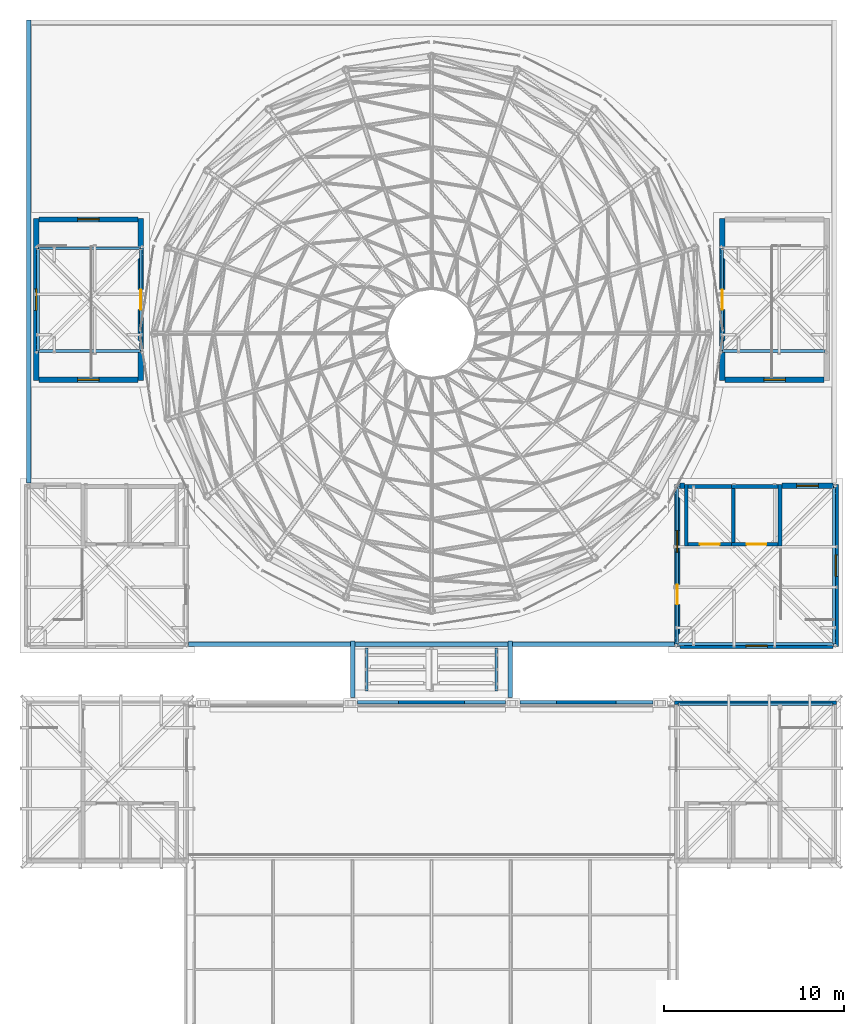
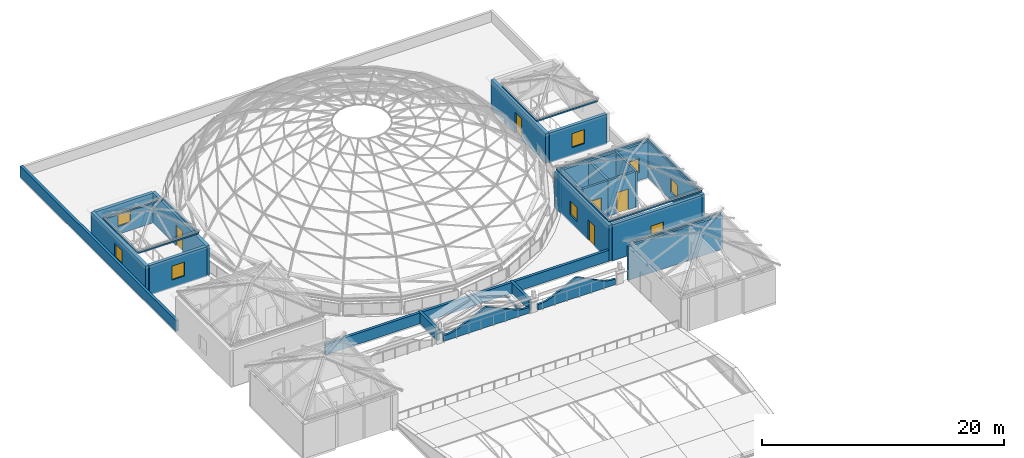
# One storey, part 49 of 69: 38 walls, 8 windows, 5 doors, 13 openings.
"""IFC4 building model written with IfcOpenShell, lengths in metres."""

from ifc_helpers import new_model, si_unit, direction, frame, frame_2d, origin, place, context, subcontext, project, spatial, polyline, rectangle, outline, extrude, material, layer, layer_set, type_object, element, fill, save


model = new_model("IFC4")

# Units and contexts
model_context = context("Model", 3, precision=1e-05, world=origin(), true_north=direction((0.0, 1.0)))
body_context = subcontext(model_context, "Body", "Model", "MODEL_VIEW")
ifc_project = project(units=[si_unit("LENGTHUNIT", "METRE"), si_unit("AREAUNIT", "SQUARE_METRE"), si_unit("VOLUMEUNIT", "CUBIC_METRE"), si_unit("PLANEANGLEUNIT", "RADIAN"), si_unit("MASSUNIT", "GRAM", prefix="KILO")], contexts=[model_context])

# Site, building, storey
site_placement = place(None, origin())
site = spatial("IfcSite", under=ifc_project, at=site_placement, CompositionType="ELEMENT")
building_placement = place(site_placement, origin())
building = spatial("IfcBuilding", under=site, at=building_placement, Name="Kallimachos Central Library", CompositionType="ELEMENT")
storey_placement = place(building_placement, frame((0.0, 0.0, 23.39990234375)))
storey = spatial("IfcBuildingStorey", under=building, at=storey_placement, Name="L05", CompositionType="ELEMENT", Elevation=23.39990234375)

# Walls
ifc_material_1 = material(Name="Concrete C30/37", Category="concrete")
ifc_layer_1 = layer(ifc_material_1, 0.14990234375)
ifc_layer_set_1 = layer_set([ifc_layer_1], Name="Concrete C30/37 eaves kerb 150")
wall_type_1 = type_object("IfcWallType", Name="Concrete C30/37 eaves kerb 150", PredefinedType="SOLIDWALL", material=ifc_layer_set_1)
wall_1_placement = place(storey_placement, frame((101.699951171875, 83.800048828125, 3.650146484375), z_axis=(0.0, 0.0, 1.0), x_axis=(1.0, 0.0, 0.0)))
element("IfcWall", 1, at=wall_1_placement, inside=storey, type_object=wall_type_1, Name="Head-house roof V4-NE eaves kerb N", PredefinedType="SOLIDWALL", context=body_context, shape_type="SweptSolid", body=[
    extrude(rectangle(XDim=8.60009765625, YDim=0.14990234375, at=frame_2d((4.300048828125, 0.0))), origin(), (0.0, 0.0, 1.0), 0.14990234375),
])
for number, where, z_axis, x_axis, name in (
    (2, (101.64990234375, 87.14990234375, 3.800048828125), (0.0, 0.0, 1.0), (1.0, 0.0, 0.0), "Head-house roof V1-SE eaves kerb S"),
    (3, (101.64990234375, 95.85009765625, 3.800048828125), (0.0, 0.0, 1.0), (1.0, 0.0, 0.0), "Head-house roof V1-SE eaves kerb N"),
    (4, (101.64990234375, 87.14990234375, 3.800048828125), (0.0, 0.0, 1.0), (0.0, 1.0, 0.0), "Head-house roof V1-SE eaves kerb W"),
    (5, (110.35009765625, 87.14990234375, 3.800048828125), (0.0, 0.0, 1.0), (0.0, 1.0, 0.0), "Head-house roof V1-SE eaves kerb E"),
):
    element("IfcWall", number, at=place(storey_placement, frame(where, z_axis=z_axis, x_axis=x_axis)), inside=storey, type_object=wall_type_1, Name=name, PredefinedType="SOLIDWALL", context=body_context, shape_type="SweptSolid", body=[
        extrude(rectangle(XDim=8.7001953125, YDim=0.14990234375, at=frame_2d((4.35009765625, 0.0))), origin(), (0.0, 0.0, 1.0), 0.150146484375),
    ])
for number, where, z_axis, x_axis, name in (
    (6, (66.14990234375, 103.425048828125, 3.2001953125), (0.0, 0.0, 1.0), (1.0, 0.0, 0.0), "Head-house roof V1-NW eaves kerb S"),
    (7, (66.14990234375, 109.125, 3.2001953125), (0.0, 0.0, 1.0), (1.0, 0.0, 0.0), "Head-house roof V1-NW eaves kerb N"),
):
    element("IfcWall", number, at=place(storey_placement, frame(where, z_axis=z_axis, x_axis=x_axis)), inside=storey, type_object=wall_type_1, Name=name, PredefinedType="SOLIDWALL", context=body_context, shape_type="SweptSolid", body=[
        extrude(rectangle(XDim=5.7001953125, YDim=0.14990234375, at=frame_2d((2.85009765625, 0.0))), origin(), (0.0, 0.0, 1.0), 0.14990234375),
    ])
for number, where, z_axis, x_axis, name in (
    (8, (66.14990234375, 103.425048828125, 3.2001953125), (0.0, 0.0, 1.0), (0.0, 1.0, 0.0), "Head-house roof V1-NW eaves kerb W"),
    (9, (71.85009765625, 103.425048828125, 3.2001953125), (0.0, 0.0, 1.0), (0.0, 1.0, 0.0), "Head-house roof V1-NW eaves kerb E"),
):
    element("IfcWall", number, at=place(storey_placement, frame(where, z_axis=z_axis, x_axis=x_axis)), inside=storey, type_object=wall_type_1, Name=name, PredefinedType="SOLIDWALL", context=body_context, shape_type="SweptSolid", body=[
        extrude(rectangle(XDim=5.699951171875, YDim=0.14990234375, at=frame_2d((2.85009765625, 0.0))), origin(), (0.0, 0.0, 1.0), 0.14990234375),
    ])
wall_2_placement = place(storey_placement, frame((104.14990234375, 103.425048828125, 3.2001953125), z_axis=(0.0, 0.0, 1.0), x_axis=(1.0, 0.0, 0.0)))
element("IfcWall", 10, at=wall_2_placement, inside=storey, type_object=wall_type_1, Name="Head-house roof V1-NE eaves kerb S", PredefinedType="SOLIDWALL", context=body_context, shape_type="SweptSolid", body=[
    extrude(rectangle(XDim=5.7001953125, YDim=0.14990234375, at=frame_2d((2.85009765625, 0.0))), origin(), (0.0, 0.0, 1.0), 0.14990234375),
])
wall_3_placement = place(storey_placement, frame((104.14990234375, 103.425048828125, 3.2001953125), z_axis=(0.0, 0.0, 1.0), x_axis=(0.0, 1.0, 0.0)))
element("IfcWall", 11, at=wall_3_placement, inside=storey, type_object=wall_type_1, Name="Head-house roof V1-NE eaves kerb W", PredefinedType="SOLIDWALL", context=body_context, shape_type="SweptSolid", body=[
    extrude(rectangle(XDim=5.699951171875, YDim=0.14990234375, at=frame_2d((2.85009765625, 0.0))), origin(), (0.0, 0.0, 1.0), 0.14990234375),
])
for number, where, z_axis, x_axis, name in (
    (12, (84.39990234375, 84.53759765625, 0.0), (0.0, 0.0, 1.0), (0.0, 1.0, 0.0), "Reading Link roof eaves kerb W"),
    (13, (91.60009765625, 84.53759765625, 0.0), (0.0, 0.0, 1.0), (0.0, 1.0, 0.0), "Reading Link roof eaves kerb E"),
):
    element("IfcWall", number, at=place(storey_placement, frame(where, z_axis=z_axis, x_axis=x_axis)), inside=storey, type_object=wall_type_1, Name=name, PredefinedType="SOLIDWALL", context=body_context, shape_type="SweptSolid", body=[
        extrude(rectangle(XDim=2.39990234375, YDim=0.14990234375, at=frame_2d((1.199951171875, 0.0))), origin(), (0.0, 0.0, 1.0), 0.150146484375),
    ])

# Wall, openings, door, window
ifc_material_2 = material(Name="Concrete C30/37 faced with glazed ceramic tile", Category="concrete")
ifc_layer_2 = layer(ifc_material_2, 0.300048828125)
ifc_layer_set_2 = layer_set([ifc_layer_2], Name="Head-house wall 300")
wall_type_2 = type_object("IfcWallType", Name="Head-house wall 300", PredefinedType="SOLIDWALL", material=ifc_layer_set_2)
wall_4_placement = place(storey_placement, frame((101.64990234375, 87.0, 0.0), z_axis=(0.0, 0.0, 1.0), x_axis=(0.0, 1.0, 0.0)))
wall_4 = element("IfcWall", 14, at=wall_4_placement, inside=storey, type_object=wall_type_2, Name="Head-house wall V1-SE", PredefinedType="SOLIDWALL", context=body_context, shape_type="SweptSolid", body=[
    extrude(rectangle(XDim=9.0, YDim=0.300048828125, at=frame_2d((4.5, 0.0))), origin(), (0.0, 0.0, 1.0), 3.60009765625),
])
opening_1_placement = place(wall_4_placement, frame((5.25, 0.0, 0.800048828125)))
opening_1 = element("IfcOpeningElement", 15, at=opening_1_placement, cuts=wall_4, Name="Opening W65", PredefinedType="OPENING", context=body_context, shape_type="SweptSolid", body=[
    extrude(rectangle(XDim=1.199951171875, YDim=1.39990234375, at=frame_2d((0.60009765625, 0.699951171875))), frame((0.0, 0.159912109375, 0.0), z_axis=(0.0, -1.0, 0.0), x_axis=(1.0, 0.0, 0.0)), (0.0, 0.0, 1.0), 0.320068359375),
])
opening_2_placement = place(wall_4_placement, frame((2.35009765625, 0.0, 0.0)))
opening_2 = element("IfcOpeningElement", 16, at=opening_2_placement, cuts=wall_4, Name="Opening D61", PredefinedType="OPENING", context=body_context, shape_type="SweptSolid", body=[
    extrude(rectangle(XDim=1.10009765625, YDim=2.10009765625, at=frame_2d((0.550048828125, 1.050048828125))), frame((0.0, 0.159912109375, 0.0), z_axis=(0.0, -1.0, 0.0), x_axis=(1.0, 0.0, 0.0)), (0.0, 0.0, 1.0), 0.320068359375),
])
ifc_material_3 = material(Name="Steel fire door", Category="steel")
door_type_1 = type_object("IfcDoorType", Name="Fire door EI2 90 1100 x 2100", OperationType="NOTDEFINED", PredefinedType="DOOR", material=ifc_material_3)
door_1_placement = place(opening_2_placement, frame((1.10009765625, 0.0, 0.0), z_axis=(0.0, 0.0, 1.0), x_axis=(-1.0, 0.0, 0.0)))
door_1 = element("IfcDoor", 17, at=door_1_placement, inside=storey, type_object=door_type_1, Name="V1-DOR-L05-006", OperationType="SINGLE_SWING_LEFT", OverallHeight=2.10009765625, OverallWidth=1.10009765625, PredefinedType="DOOR", context=body_context, shape_type="SweptSolid", body=[
    extrude(rectangle(XDim=1.10009765625, YDim=2.10009765625, at=frame_2d((0.550048828125, 1.050048828125))), frame((0.0, 0.02490234375, 0.0), z_axis=(0.0, -1.0, 0.0), x_axis=(1.0, 0.0, 0.0)), (0.0, 0.0, 1.0), 0.050048828125),
])
fill(opening_2, door_1)
ifc_material_4 = material(Name="Anodised aluminium louvre", Category="aluminium")
window_type = type_object("IfcWindowType", Name="Plant louvre 1200x1400", PartitioningType="SINGLE_PANEL", PredefinedType="WINDOW", material=ifc_material_4)
window_1_placement = place(opening_1_placement, origin())
window_1 = element("IfcWindow", 18, at=window_1_placement, inside=storey, type_object=window_type, Name="V1-WIN-L05-005", OverallHeight=1.39990234375, OverallWidth=1.199951171875, PartitioningType="SINGLE_PANEL", PredefinedType="WINDOW", context=body_context, shape_type="SweptSolid", body=[
    extrude(rectangle(XDim=1.199951171875, YDim=1.39990234375, at=frame_2d((0.60009765625, 0.699951171875))), frame((0.0, 0.030029296875, 0.0), z_axis=(0.0, -1.0, 0.0), x_axis=(1.0, 0.0, 0.0)), (0.0, 0.0, 1.0), 0.06005859375),
])
fill(opening_1, window_1)

# Wall, opening, window
wall_5_placement = place(storey_placement, frame((110.449951171875, 87.0, 0.0), z_axis=(0.0, 0.0, 1.0), x_axis=(0.0, 1.0, 0.0)))
wall_5 = element("IfcWall", 19, at=wall_5_placement, inside=storey, type_object=wall_type_2, Name="Head-house wall V1-SE", PredefinedType="SOLIDWALL", context=body_context, shape_type="SweptSolid", body=[
    extrude(rectangle(XDim=9.0, YDim=0.300048828125, at=frame_2d((4.5, 0.0))), origin(), (0.0, 0.0, 1.0), 3.60009765625),
])
opening_3_placement = place(wall_5_placement, frame((3.89990234375, 0.0, 0.800048828125)))
opening_3 = element("IfcOpeningElement", 20, at=opening_3_placement, cuts=wall_5, Name="Opening W66", PredefinedType="OPENING", context=body_context, shape_type="SweptSolid", body=[
    extrude(rectangle(XDim=1.199951171875, YDim=1.39990234375, at=frame_2d((0.60009765625, 0.699951171875))), frame((0.0, 0.159912109375, 0.0), z_axis=(0.0, -1.0, 0.0), x_axis=(1.0, 0.0, 0.0)), (0.0, 0.0, 1.0), 0.320068359375),
])
window_2_placement = place(opening_3_placement, origin())
window_2 = element("IfcWindow", 21, at=window_2_placement, inside=storey, type_object=window_type, Name="V1-WIN-L05-006", OverallHeight=1.39990234375, OverallWidth=1.199951171875, PartitioningType="SINGLE_PANEL", PredefinedType="WINDOW", context=body_context, shape_type="SweptSolid", body=[
    extrude(rectangle(XDim=1.199951171875, YDim=1.39990234375, at=frame_2d((0.60009765625, 0.699951171875))), frame((0.0, 0.030029296875, 0.0), z_axis=(0.0, -1.0, 0.0), x_axis=(1.0, 0.0, 0.0)), (0.0, 0.0, 1.0), 0.06005859375),
])
fill(opening_3, window_2)

wall_6_placement = place(storey_placement, frame((101.800048828125, 87.050048828125, 0.0), z_axis=(0.0, 0.0, 1.0), x_axis=(1.0, 0.0, 0.0)))
wall_6 = element("IfcWall", 22, at=wall_6_placement, inside=storey, type_object=wall_type_2, Name="Head-house wall V1-SE", PredefinedType="SOLIDWALL", context=body_context, shape_type="SweptSolid", body=[
    extrude(rectangle(XDim=8.5, YDim=0.300048828125, at=frame_2d((4.25, 0.0))), origin(), (0.0, 0.0, 1.0), 3.60009765625),
])
opening_4_placement = place(wall_6_placement, frame((3.64990234375, 0.0, 0.800048828125)))
opening_4 = element("IfcOpeningElement", 23, at=opening_4_placement, cuts=wall_6, Name="Opening W67", PredefinedType="OPENING", context=body_context, shape_type="SweptSolid", body=[
    extrude(rectangle(XDim=1.199951171875, YDim=1.39990234375, at=frame_2d((0.60009765625, 0.699951171875))), frame((0.0, 0.159912109375, 0.0), z_axis=(0.0, -1.0, 0.0), x_axis=(1.0, 0.0, 0.0)), (0.0, 0.0, 1.0), 0.320068359375),
])
window_3_placement = place(opening_4_placement, origin())
window_3 = element("IfcWindow", 24, at=window_3_placement, inside=storey, type_object=window_type, Name="V1-WIN-L05-007", OverallHeight=1.39990234375, OverallWidth=1.199951171875, PartitioningType="SINGLE_PANEL", PredefinedType="WINDOW", context=body_context, shape_type="SweptSolid", body=[
    extrude(rectangle(XDim=1.199951171875, YDim=1.39990234375, at=frame_2d((0.60009765625, 0.699951171875))), frame((0.0, 0.030029296875, 0.0), z_axis=(0.0, -1.0, 0.0), x_axis=(1.0, 0.0, 0.0)), (0.0, 0.0, 1.0), 0.06005859375),
])
fill(opening_4, window_3)

# Wall
wall_7_placement = place(storey_placement, frame((101.800048828125, 95.949951171875, 0.0), z_axis=(0.0, 0.0, 1.0), x_axis=(1.0, 0.0, 0.0)))
element("IfcWall", 25, at=wall_7_placement, inside=storey, type_object=wall_type_2, Name="Head-house wall V1-SE", PredefinedType="SOLIDWALL", context=body_context, shape_type="SweptSolid", body=[
    extrude(rectangle(XDim=0.25, YDim=0.300048828125, at=frame_2d((0.125, 0.0))), origin(), (0.0, 0.0, 1.0), 3.60009765625),
])

# Wall, opening, window
wall_8_placement = place(storey_placement, frame((107.449951171875, 95.949951171875, 0.0), z_axis=(0.0, 0.0, 1.0), x_axis=(1.0, 0.0, 0.0)))
wall_8 = element("IfcWall", 26, at=wall_8_placement, inside=storey, type_object=wall_type_2, Name="Head-house wall V1-SE", PredefinedType="SOLIDWALL", context=body_context, shape_type="SweptSolid", body=[
    extrude(rectangle(XDim=2.85009765625, YDim=0.300048828125, at=frame_2d((1.425048828125, 0.0))), origin(), (0.0, 0.0, 1.0), 3.60009765625),
])
opening_5_placement = place(wall_8_placement, frame((0.824951171875, 0.0, 0.800048828125)))
opening_5 = element("IfcOpeningElement", 27, at=opening_5_placement, cuts=wall_8, Name="Opening W68", PredefinedType="OPENING", context=body_context, shape_type="SweptSolid", body=[
    extrude(rectangle(XDim=1.199951171875, YDim=1.39990234375, at=frame_2d((0.60009765625, 0.699951171875))), frame((0.0, 0.159912109375, 0.0), z_axis=(0.0, -1.0, 0.0), x_axis=(1.0, 0.0, 0.0)), (0.0, 0.0, 1.0), 0.320068359375),
])
window_4_placement = place(opening_5_placement, origin())
window_4 = element("IfcWindow", 28, at=window_4_placement, inside=storey, type_object=window_type, Name="V1-WIN-L05-008", OverallHeight=1.39990234375, OverallWidth=1.199951171875, PartitioningType="SINGLE_PANEL", PredefinedType="WINDOW", context=body_context, shape_type="SweptSolid", body=[
    extrude(rectangle(XDim=1.199951171875, YDim=1.39990234375, at=frame_2d((0.60009765625, 0.699951171875))), frame((0.0, 0.030029296875, 0.0), z_axis=(0.0, -1.0, 0.0), x_axis=(1.0, 0.0, 0.0)), (0.0, 0.0, 1.0), 0.06005859375),
])
fill(opening_5, window_4)

wall_9_placement = place(storey_placement, frame((66.050048828125, 101.77490234375, 0.0), z_axis=(0.0, 0.0, 1.0), x_axis=(0.0, 1.0, 0.0)))
wall_9 = element("IfcWall", 29, at=wall_9_placement, inside=storey, type_object=wall_type_2, Name="Head-house wall V1-NW", PredefinedType="SOLIDWALL", context=body_context, shape_type="SweptSolid", body=[
    extrude(rectangle(XDim=9.0, YDim=0.300048828125, at=frame_2d((4.5, 0.0))), origin(), (0.0, 0.0, 1.0), 3.0),
])
opening_6_placement = place(wall_9_placement, frame((3.89990234375, 0.0, 0.800048828125)))
opening_6 = element("IfcOpeningElement", 30, at=opening_6_placement, cuts=wall_9, Name="Opening W69", PredefinedType="OPENING", context=body_context, shape_type="SweptSolid", body=[
    extrude(rectangle(XDim=1.199951171875, YDim=1.39990234375, at=frame_2d((0.60009765625, 0.699951171875))), frame((0.0, 0.159912109375, 0.0), z_axis=(0.0, -1.0, 0.0), x_axis=(1.0, 0.0, 0.0)), (0.0, 0.0, 1.0), 0.320068359375),
])
window_5_placement = place(opening_6_placement, origin())
window_5 = element("IfcWindow", 31, at=window_5_placement, inside=storey, type_object=window_type, Name="V1-WIN-L05-009", OverallHeight=1.39990234375, OverallWidth=1.199951171875, PartitioningType="SINGLE_PANEL", PredefinedType="WINDOW", context=body_context, shape_type="SweptSolid", body=[
    extrude(rectangle(XDim=1.199951171875, YDim=1.39990234375, at=frame_2d((0.60009765625, 0.699951171875))), frame((0.0, 0.030029296875, 0.0), z_axis=(0.0, -1.0, 0.0), x_axis=(1.0, 0.0, 0.0)), (0.0, 0.0, 1.0), 0.06005859375),
])
fill(opening_6, window_5)

# Wall, opening, door
wall_10_placement = place(storey_placement, frame((71.85009765625, 101.77490234375, 0.0), z_axis=(0.0, 0.0, 1.0), x_axis=(0.0, 1.0, 0.0)))
wall_10 = element("IfcWall", 32, at=wall_10_placement, inside=storey, type_object=wall_type_2, Name="Head-house wall V1-NW", PredefinedType="SOLIDWALL", context=body_context, shape_type="SweptSolid", body=[
    extrude(rectangle(XDim=9.0, YDim=0.300048828125, at=frame_2d((4.5, 0.0))), origin(), (0.0, 0.0, 1.0), 3.0),
])
opening_7_placement = place(wall_10_placement, frame((3.949951171875, 0.0, 0.0)))
opening_7 = element("IfcOpeningElement", 33, at=opening_7_placement, cuts=wall_10, Name="Opening D62", PredefinedType="OPENING", context=body_context, shape_type="SweptSolid", body=[
    extrude(rectangle(XDim=1.10009765625, YDim=2.10009765625, at=frame_2d((0.550048828125, 1.050048828125))), frame((0.0, 0.159912109375, 0.0), z_axis=(0.0, -1.0, 0.0), x_axis=(1.0, 0.0, 0.0)), (0.0, 0.0, 1.0), 0.320068359375),
])
door_2_placement = place(opening_7_placement, origin())
door_2 = element("IfcDoor", 34, at=door_2_placement, inside=storey, type_object=door_type_1, Name="V1-DOR-L05-007", OperationType="SINGLE_SWING_RIGHT", OverallHeight=2.10009765625, OverallWidth=1.10009765625, PredefinedType="DOOR", context=body_context, shape_type="SweptSolid", body=[
    extrude(rectangle(XDim=1.10009765625, YDim=2.10009765625, at=frame_2d((0.550048828125, 1.050048828125))), frame((0.0, 0.02490234375, 0.0), z_axis=(0.0, -1.0, 0.0), x_axis=(1.0, 0.0, 0.0)), (0.0, 0.0, 1.0), 0.050048828125),
])
fill(opening_7, door_2)

# Wall, opening, window
wall_11_placement = place(storey_placement, frame((66.199951171875, 101.824951171875, 0.0), z_axis=(0.0, 0.0, 1.0), x_axis=(1.0, 0.0, 0.0)))
wall_11 = element("IfcWall", 35, at=wall_11_placement, inside=storey, type_object=wall_type_2, Name="Head-house wall V1-NW", PredefinedType="SOLIDWALL", context=body_context, shape_type="SweptSolid", body=[
    extrude(rectangle(XDim=5.5, YDim=0.300048828125, at=frame_2d((2.75, 0.0))), origin(), (0.0, 0.0, 1.0), 3.0),
])
opening_8_placement = place(wall_11_placement, frame((2.14990234375, 0.0, 0.800048828125)))
opening_8 = element("IfcOpeningElement", 36, at=opening_8_placement, cuts=wall_11, Name="Opening W70", PredefinedType="OPENING", context=body_context, shape_type="SweptSolid", body=[
    extrude(rectangle(XDim=1.199951171875, YDim=1.39990234375, at=frame_2d((0.60009765625, 0.699951171875))), frame((0.0, 0.159912109375, 0.0), z_axis=(0.0, -1.0, 0.0), x_axis=(1.0, 0.0, 0.0)), (0.0, 0.0, 1.0), 0.320068359375),
])
window_6_placement = place(opening_8_placement, origin())
window_6 = element("IfcWindow", 37, at=window_6_placement, inside=storey, type_object=window_type, Name="V1-WIN-L05-010", OverallHeight=1.39990234375, OverallWidth=1.199951171875, PartitioningType="SINGLE_PANEL", PredefinedType="WINDOW", context=body_context, shape_type="SweptSolid", body=[
    extrude(rectangle(XDim=1.199951171875, YDim=1.39990234375, at=frame_2d((0.60009765625, 0.699951171875))), frame((0.0, 0.030029296875, 0.0), z_axis=(0.0, -1.0, 0.0), x_axis=(1.0, 0.0, 0.0)), (0.0, 0.0, 1.0), 0.06005859375),
])
fill(opening_8, window_6)

wall_12_placement = place(storey_placement, frame((66.199951171875, 110.72509765625, 0.0), z_axis=(0.0, 0.0, 1.0), x_axis=(1.0, 0.0, 0.0)))
wall_12 = element("IfcWall", 38, at=wall_12_placement, inside=storey, type_object=wall_type_2, Name="Head-house wall V1-NW", PredefinedType="SOLIDWALL", context=body_context, shape_type="SweptSolid", body=[
    extrude(rectangle(XDim=5.5, YDim=0.300048828125, at=frame_2d((2.75, 0.0))), origin(), (0.0, 0.0, 1.0), 3.0),
])
opening_9_placement = place(wall_12_placement, frame((2.14990234375, 0.0, 0.800048828125)))
opening_9 = element("IfcOpeningElement", 39, at=opening_9_placement, cuts=wall_12, Name="Opening W71", PredefinedType="OPENING", context=body_context, shape_type="SweptSolid", body=[
    extrude(rectangle(XDim=1.199951171875, YDim=1.39990234375, at=frame_2d((0.60009765625, 0.699951171875))), frame((0.0, 0.159912109375, 0.0), z_axis=(0.0, -1.0, 0.0), x_axis=(1.0, 0.0, 0.0)), (0.0, 0.0, 1.0), 0.320068359375),
])
window_7_placement = place(opening_9_placement, origin())
window_7 = element("IfcWindow", 40, at=window_7_placement, inside=storey, type_object=window_type, Name="V1-WIN-L05-011", OverallHeight=1.39990234375, OverallWidth=1.199951171875, PartitioningType="SINGLE_PANEL", PredefinedType="WINDOW", context=body_context, shape_type="SweptSolid", body=[
    extrude(rectangle(XDim=1.199951171875, YDim=1.39990234375, at=frame_2d((0.60009765625, 0.699951171875))), frame((0.0, 0.030029296875, 0.0), z_axis=(0.0, -1.0, 0.0), x_axis=(1.0, 0.0, 0.0)), (0.0, 0.0, 1.0), 0.06005859375),
])
fill(opening_9, window_7)

# Wall, opening, door
wall_13_placement = place(storey_placement, frame((104.14990234375, 101.77490234375, 0.0), z_axis=(0.0, 0.0, 1.0), x_axis=(0.0, 1.0, 0.0)))
wall_13 = element("IfcWall", 41, at=wall_13_placement, inside=storey, type_object=wall_type_2, Name="Head-house wall V1-NE", PredefinedType="SOLIDWALL", context=body_context, shape_type="SweptSolid", body=[
    extrude(rectangle(XDim=9.0, YDim=0.300048828125, at=frame_2d((4.5, 0.0))), origin(), (0.0, 0.0, 1.0), 3.0),
])
opening_10_placement = place(wall_13_placement, frame((3.949951171875, 0.0, 0.0)))
opening_10 = element("IfcOpeningElement", 42, at=opening_10_placement, cuts=wall_13, Name="Opening D63", PredefinedType="OPENING", context=body_context, shape_type="SweptSolid", body=[
    extrude(rectangle(XDim=1.10009765625, YDim=2.10009765625, at=frame_2d((0.550048828125, 1.050048828125))), frame((0.0, 0.159912109375, 0.0), z_axis=(0.0, -1.0, 0.0), x_axis=(1.0, 0.0, 0.0)), (0.0, 0.0, 1.0), 0.320068359375),
])
door_3_placement = place(opening_10_placement, frame((1.10009765625, 0.0, 0.0), z_axis=(0.0, 0.0, 1.0), x_axis=(-1.0, 0.0, 0.0)))
door_3 = element("IfcDoor", 43, at=door_3_placement, inside=storey, type_object=door_type_1, Name="V1-DOR-L05-008", OperationType="SINGLE_SWING_LEFT", OverallHeight=2.10009765625, OverallWidth=1.10009765625, PredefinedType="DOOR", context=body_context, shape_type="SweptSolid", body=[
    extrude(rectangle(XDim=1.10009765625, YDim=2.10009765625, at=frame_2d((0.550048828125, 1.050048828125))), frame((0.0, 0.02490234375, 0.0), z_axis=(0.0, -1.0, 0.0), x_axis=(1.0, 0.0, 0.0)), (0.0, 0.0, 1.0), 0.050048828125),
])
fill(opening_10, door_3)

# Wall, opening, window
wall_14_placement = place(storey_placement, frame((104.300048828125, 101.824951171875, 0.0), z_axis=(0.0, 0.0, 1.0), x_axis=(1.0, 0.0, 0.0)))
wall_14 = element("IfcWall", 44, at=wall_14_placement, inside=storey, type_object=wall_type_2, Name="Head-house wall V1-NE", PredefinedType="SOLIDWALL", context=body_context, shape_type="SweptSolid", body=[
    extrude(rectangle(XDim=5.5, YDim=0.300048828125, at=frame_2d((2.75, 0.0))), origin(), (0.0, 0.0, 1.0), 3.0),
])
opening_11_placement = place(wall_14_placement, frame((2.14990234375, 0.0, 0.800048828125)))
opening_11 = element("IfcOpeningElement", 45, at=opening_11_placement, cuts=wall_14, Name="Opening W73", PredefinedType="OPENING", context=body_context, shape_type="SweptSolid", body=[
    extrude(rectangle(XDim=1.199951171875, YDim=1.39990234375, at=frame_2d((0.60009765625, 0.699951171875))), frame((0.0, 0.159912109375, 0.0), z_axis=(0.0, -1.0, 0.0), x_axis=(1.0, 0.0, 0.0)), (0.0, 0.0, 1.0), 0.320068359375),
])
window_8_placement = place(opening_11_placement, origin())
window_8 = element("IfcWindow", 46, at=window_8_placement, inside=storey, type_object=window_type, Name="V1-WIN-L05-013", OverallHeight=1.39990234375, OverallWidth=1.199951171875, PartitioningType="SINGLE_PANEL", PredefinedType="WINDOW", context=body_context, shape_type="SweptSolid", body=[
    extrude(rectangle(XDim=1.199951171875, YDim=1.39990234375, at=frame_2d((0.60009765625, 0.699951171875))), frame((0.0, 0.030029296875, 0.0), z_axis=(0.0, -1.0, 0.0), x_axis=(1.0, 0.0, 0.0)), (0.0, 0.0, 1.0), 0.06005859375),
])
fill(opening_11, window_8)

# Wall
ifc_material_5 = material(Name="Concrete C30/37", Category="concrete")
ifc_layer_3 = layer(ifc_material_5, 0.199951171875)
ifc_layer_set_3 = layer_set([ifc_layer_3], Name="Lift shaft wall 200")
wall_type_3 = type_object("IfcWallType", Name="Lift shaft wall 200", PredefinedType="SOLIDWALL", material=ifc_layer_set_3)
wall_15_placement = place(storey_placement, frame((104.64990234375, 95.89990234375, 0.0), z_axis=(0.0, 0.0, 1.0), x_axis=(1.0, 0.0, 0.0)))
element("IfcWall", 47, at=wall_15_placement, inside=storey, type_object=wall_type_3, Name="V1-WAL-L05-008", PredefinedType="SOLIDWALL", context=body_context, shape_type="SweptSolid", body=[
    extrude(rectangle(XDim=2.60009765625, YDim=0.199951171875, at=frame_2d((1.300048828125, 0.0))), origin(), (0.0, 0.0, 1.0), 3.60009765625),
])

# Wall, opening, door
wall_16_placement = place(storey_placement, frame((104.64990234375, 92.699951171875, 0.0), z_axis=(0.0, 0.0, 1.0), x_axis=(1.0, 0.0, 0.0)))
wall_16 = element("IfcWall", 48, at=wall_16_placement, inside=storey, type_object=wall_type_3, Name="V1-WAL-L05-009", PredefinedType="SOLIDWALL", context=body_context, shape_type="SweptSolid", body=[
    extrude(rectangle(XDim=2.60009765625, YDim=0.199951171875, at=frame_2d((1.300048828125, 0.0))), origin(), (0.0, 0.0, 1.0), 3.60009765625),
])
opening_12_placement = place(wall_16_placement, frame((0.85009765625, 0.0, 0.0)))
opening_12 = element("IfcOpeningElement", 49, at=opening_12_placement, cuts=wall_16, Name="Opening LD1100", PredefinedType="OPENING", context=body_context, shape_type="SweptSolid", body=[
    extrude(rectangle(XDim=1.10009765625, YDim=2.10009765625, at=frame_2d((0.550048828125, 1.050048828125))), frame((0.0, 0.10986328125, 0.0), z_axis=(0.0, -1.0, 0.0), x_axis=(1.0, 0.0, 0.0)), (0.0, 0.0, 1.0), 0.219970703125),
])
ifc_material_6 = material(Name="Stainless steel", Category="steel")
door_type_2 = type_object("IfcDoorType", Name="Lift landing door 1100 x 2100", OperationType="SLIDING_TO_LEFT", PredefinedType="DOOR", material=ifc_material_6)
door_4_placement = place(opening_12_placement, origin())
door_4 = element("IfcDoor", 50, at=door_4_placement, inside=storey, type_object=door_type_2, Name="LF3 landing door L05", OperationType="SLIDING_TO_LEFT", OverallHeight=2.10009765625, OverallWidth=1.10009765625, PredefinedType="DOOR", context=body_context, shape_type="SweptSolid", body=[
    extrude(rectangle(XDim=1.10009765625, YDim=2.10009765625, at=frame_2d((0.550048828125, 1.050048828125))), frame((0.0, 0.02490234375, 0.0), z_axis=(0.0, -1.0, 0.0), x_axis=(1.0, 0.0, 0.0)), (0.0, 0.0, 1.0), 0.050048828125),
])
fill(opening_12, door_4)

# Walls
for number, where, z_axis, x_axis, name in (
    (51, (104.75, 92.60009765625, 0.0), (0.0, 0.0, 1.0), (0.0, 1.0, 0.0), "V1-WAL-L05-010"),
    (52, (107.35009765625, 92.60009765625, 0.0), (0.0, 0.0, 1.0), (0.0, 1.0, 0.0), "V1-WAL-L05-011"),
):
    element("IfcWall", number, at=place(storey_placement, frame(where, z_axis=z_axis, x_axis=x_axis)), inside=storey, type_object=wall_type_3, Name=name, PredefinedType="SOLIDWALL", context=body_context, shape_type="SweptSolid", body=[
        extrude(rectangle(XDim=3.39990234375, YDim=0.199951171875, at=frame_2d((1.699951171875, 0.0))), origin(), (0.0, 0.0, 1.0), 3.60009765625),
    ])
wall_17_placement = place(storey_placement, frame((102.25, 95.89990234375, 0.0), z_axis=(0.0, 0.0, 1.0), x_axis=(1.0, 0.0, 0.0)))
element("IfcWall", 53, at=wall_17_placement, inside=storey, type_object=wall_type_3, Name="V1-WAL-L05-012", PredefinedType="SOLIDWALL", context=body_context, shape_type="SweptSolid", body=[
    extrude(rectangle(XDim=2.39990234375, YDim=0.199951171875, at=frame_2d((1.199951171875, 0.0))), origin(), (0.0, 0.0, 1.0), 3.60009765625),
])

# Wall, opening, door
wall_18_placement = place(storey_placement, frame((102.25, 92.699951171875, 0.0), z_axis=(0.0, 0.0, 1.0), x_axis=(1.0, 0.0, 0.0)))
wall_18 = element("IfcWall", 54, at=wall_18_placement, inside=storey, type_object=wall_type_3, Name="V1-WAL-L05-013", PredefinedType="SOLIDWALL", context=body_context, shape_type="SweptSolid", body=[
    extrude(rectangle(XDim=2.39990234375, YDim=0.199951171875, at=frame_2d((1.199951171875, 0.0))), origin(), (0.0, 0.0, 1.0), 3.60009765625),
])
opening_13_placement = place(wall_18_placement, frame((0.64990234375, 0.0, 0.0)))
opening_13 = element("IfcOpeningElement", 55, at=opening_13_placement, cuts=wall_18, Name="Opening LD1100", PredefinedType="OPENING", context=body_context, shape_type="SweptSolid", body=[
    extrude(rectangle(XDim=1.10009765625, YDim=2.10009765625, at=frame_2d((0.550048828125, 1.050048828125))), frame((0.0, 0.10986328125, 0.0), z_axis=(0.0, -1.0, 0.0), x_axis=(1.0, 0.0, 0.0)), (0.0, 0.0, 1.0), 0.219970703125),
])
door_5_placement = place(opening_13_placement, origin())
door_5 = element("IfcDoor", 56, at=door_5_placement, inside=storey, type_object=door_type_2, Name="LF4 landing door L05", OperationType="SLIDING_TO_LEFT", OverallHeight=2.10009765625, OverallWidth=1.10009765625, PredefinedType="DOOR", context=body_context, shape_type="SweptSolid", body=[
    extrude(rectangle(XDim=1.10009765625, YDim=2.10009765625, at=frame_2d((0.550048828125, 1.050048828125))), frame((0.0, 0.02490234375, 0.0), z_axis=(0.0, -1.0, 0.0), x_axis=(1.0, 0.0, 0.0)), (0.0, 0.0, 1.0), 0.050048828125),
])
fill(opening_13, door_5)

# Walls
wall_19_placement = place(storey_placement, frame((102.14990234375, 92.60009765625, 0.0), z_axis=(0.0, 0.0, 1.0), x_axis=(0.0, 1.0, 0.0)))
element("IfcWall", 57, at=wall_19_placement, inside=storey, type_object=wall_type_3, Name="V1-WAL-L05-014", PredefinedType="SOLIDWALL", context=body_context, shape_type="SweptSolid", body=[
    extrude(rectangle(XDim=3.39990234375, YDim=0.199951171875, at=frame_2d((1.699951171875, 0.0))), origin(), (0.0, 0.0, 1.0), 3.60009765625),
])
ifc_material_7 = material(Name="Brick masonry with stone coping", Category="masonry")
ifc_layer_4 = layer(ifc_material_7, 0.25)
ifc_layer_set_4 = layer_set([ifc_layer_4], Name="Link parapet wall 250")
wall_type_4 = type_object("IfcWallType", Name="Link parapet wall 250", PredefinedType="SOLIDWALL", material=ifc_layer_set_4)
for number, where, z_axis, x_axis, name in (
    (58, (83.625, 84.169921875, 0.0), (0.0, 0.0, 1.0), (0.0, 1.0, 0.0), "Reading Link roof parapet"),
    (59, (92.375, 84.169921875, 0.0), (0.0, 0.0, 1.0), (0.0, 1.0, 0.0), "Reading Link roof parapet"),
):
    element("IfcWall", number, at=place(storey_placement, frame(where, z_axis=z_axis, x_axis=x_axis)), inside=storey, type_object=wall_type_4, Name=name, PredefinedType="SOLIDWALL", context=body_context, shape_type="SweptSolid", body=[
        extrude(rectangle(XDim=3.135009765625, YDim=0.25, at=frame_2d((1.5673828125, 0.0))), origin(), (0.0, 0.0, 1.0), 1.10009765625),
    ])
ifc_material_8 = material(Name="Concrete C35/45", Category="concrete")
ifc_layer_5 = layer(ifc_material_8, 0.199951171875)
ifc_layer_set_5 = layer_set([ifc_layer_5], Name="Shear core wall 200")
wall_type_5 = type_object("IfcWallType", Name="Shear core wall 200", PredefinedType="SHEAR", material=ifc_layer_set_5)
wall_20_placement = place(storey_placement, frame((101.5, 83.89990234375, 0.0), z_axis=(0.0, 0.0, 1.0), x_axis=(1.0, 0.0, 0.0)))
element("IfcWall", 60, at=wall_20_placement, inside=storey, type_object=wall_type_5, Name="Head-house wall V4-NE N", PredefinedType="SHEAR", context=body_context, shape_type="SweptSolid", body=[
    extrude(rectangle(XDim=9.0, YDim=0.199951171875, at=frame_2d((4.5, 0.0))), origin(), (0.0, 0.0, 1.0), 3.400146484375),
])
ifc_material_9 = material(Name="Pentelic marble cladding on reinforced concrete C30/37", Category="masonry")
ifc_layer_6 = layer(ifc_material_9, 0.199951171875)
ifc_layer_set_6 = layer_set([ifc_layer_6], Name="Stone crown wall 200")
wall_type_6 = type_object("IfcWallType", Name="Stone crown wall 200", PredefinedType="PARAPET", material=ifc_layer_set_6)
wall_21_placement = place(storey_placement, frame((83.89990234375, 83.919921875, 0.0), z_axis=(0.0, 0.0, 1.0), x_axis=(1.0, 0.0, 0.0)))
element("IfcWall", 61, at=wall_21_placement, inside=storey, type_object=wall_type_6, Name="North row roof edge crown 2", PredefinedType="PARAPET", context=body_context, shape_type="SweptSolid", body=[
    extrude(outline(polyline([(0.0, 0.0), (8.2001953125, 0.0), (8.199951171875, 0.56591796875), (7.744384765625, 0.56982421875), (7.288818359375, 0.64453125), (6.833251953125, 0.79345703125), (6.377685546875, 0.990478515625), (5.922119140625, 1.209716796875), (5.466796875, 1.425537109375), (5.010986328125, 1.61865234375), (4.5556640625, 1.835693359375), (4.10009765625, 2.011474609375), (3.644287109375, 1.835693359375), (3.18896484375, 1.61865234375), (2.7333984375, 1.425537109375), (2.27783203125, 1.209716796875), (1.822265625, 0.990478515625), (1.36669921875, 0.79345703125), (0.9111328125, 0.64453125), (0.45556640625, 0.56982421875), (0.0, 0.56591796875), (0.0, 0.0)])), frame((0.0, 0.10009765625, 0.0), z_axis=(0.0, -1.0, 0.0), x_axis=(1.0, 0.0, 0.0)), (0.0, 0.0, 1.0), 0.199951171875),
])
wall_22_placement = place(storey_placement, frame((92.89990234375, 83.919921875, 0.0), z_axis=(0.0, 0.0, 1.0), x_axis=(1.0, 0.0, 0.0)))
element("IfcWall", 62, at=wall_22_placement, inside=storey, type_object=wall_type_6, Name="North row roof edge crown 3", PredefinedType="PARAPET", context=body_context, shape_type="SweptSolid", body=[
    extrude(outline(polyline([(0.0, 0.0), (7.39013671875, 0.0), (7.389892578125, 0.56591796875), (6.927978515625, 0.57421875), (6.46630859375, 0.67578125), (6.00439453125, 0.863037109375), (5.54248046875, 1.098876953125), (5.08056640625, 1.3466796875), (4.618896484375, 1.572021484375), (4.156982421875, 1.80419921875), (3.695068359375, 2.011474609375), (3.233154296875, 1.80419921875), (2.771240234375, 1.572021484375), (2.309326171875, 1.3466796875), (1.847412109375, 1.098876953125), (1.385498046875, 0.863037109375), (0.923828125, 0.67578125), (0.4619140625, 0.57421875), (0.0, 0.56591796875), (0.0, 0.0)])), frame((0.0, 0.10009765625, 0.0), z_axis=(0.0, -1.0, 0.0), x_axis=(1.0, 0.0, 0.0)), (0.0, 0.0, 1.0), 0.199951171875),
])
ifc_material_10 = material(Name="Pentelic marble coping on blockwork", Category="masonry")
ifc_layer_7 = layer(ifc_material_10, 0.25)
ifc_layer_set_7 = layer_set([ifc_layer_7], Name="Stone parapet 250")
wall_type_7 = type_object("IfcWallType", Name="Stone parapet 250", PredefinedType="PARAPET", material=ifc_layer_set_7)
wall_23_placement = place(storey_placement, frame((65.625, 96.10009765625, 0.0), z_axis=(0.0, 0.0, 1.0), x_axis=(0.0, 1.0, 0.0)))
element("IfcWall", 63, at=wall_23_placement, inside=storey, type_object=wall_type_7, Name="Roof parapet", PredefinedType="PARAPET", context=body_context, shape_type="SweptSolid", body=[
    extrude(rectangle(XDim=25.699951171875, YDim=0.25, at=frame_2d((12.85009765625, 0.0))), origin(), (0.0, 0.0, 1.0), 1.10009765625),
])
wall_24_placement = place(storey_placement, frame((74.5, 87.125, 0.0), z_axis=(0.0, 0.0, 1.0), x_axis=(1.0, 0.0, 0.0)))
element("IfcWall", 64, at=wall_24_placement, inside=storey, type_object=wall_type_7, Name="Roof parapet", PredefinedType="PARAPET", context=body_context, shape_type="SweptSolid", body=[
    extrude(rectangle(XDim=27.0, YDim=0.25, at=frame_2d((13.5, 0.0))), origin(), (0.0, 0.0, 1.0), 1.10009765625),
])

save(model, "model.ifc")
